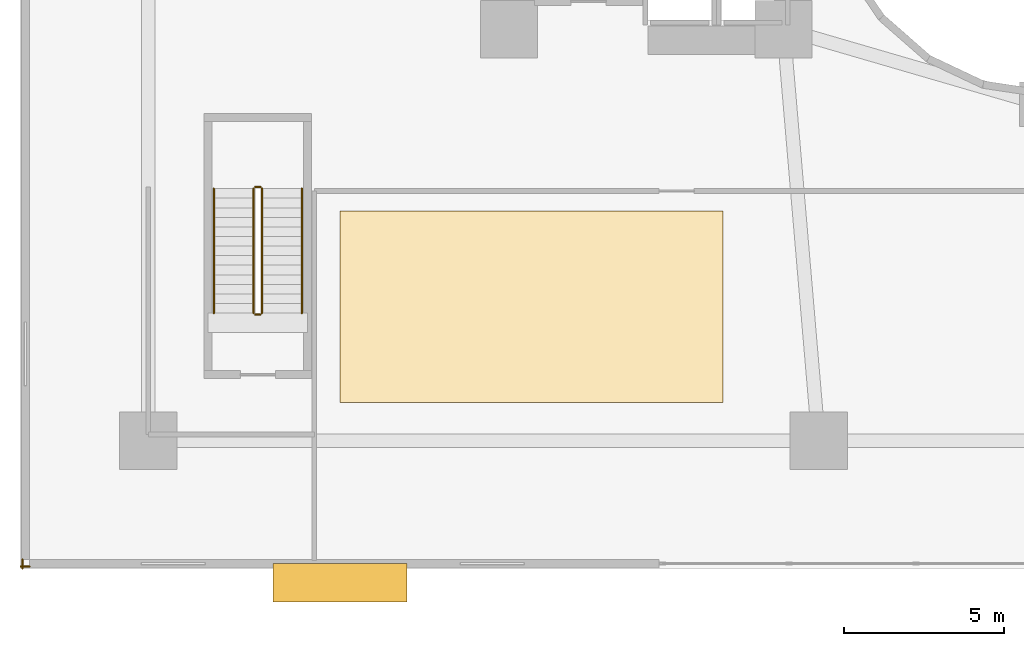
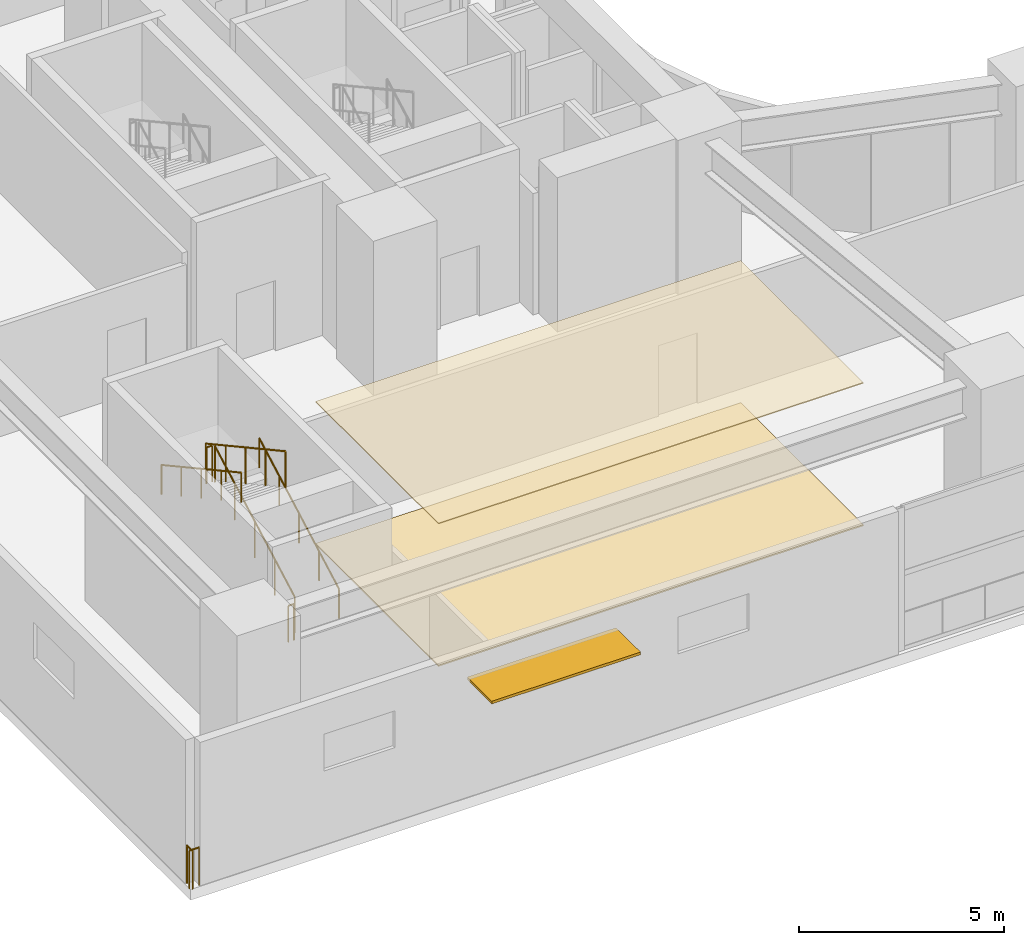
# One storey, part 15 of 20: 8 railings, 2 coverings, 1 shading device.
"""IFC4 building model written with IfcOpenShell, lengths in metres."""

from ifc_helpers import new_model, si_unit, direction, frame, origin, origin_2d, place, context, subcontext, project, spatial, polyline, rectangle, circle, outline, extrude, material, layer, layer_set, type_object, element, save


model = new_model("IFC4")

# Units and contexts
model_context = context("Model", 3, precision=1e-05, world=origin(), true_north=direction((0.0, 1.0)))
body_context = subcontext(model_context, "Body", "Model", "MODEL_VIEW")
ifc_project = project(units=[si_unit("LENGTHUNIT", "METRE"), si_unit("AREAUNIT", "SQUARE_METRE"), si_unit("VOLUMEUNIT", "CUBIC_METRE"), si_unit("PLANEANGLEUNIT", "RADIAN"), si_unit("MASSUNIT", "GRAM", prefix="KILO")], contexts=[model_context])

# Site, building, storey
site_placement = place(None, origin())
site = spatial("IfcSite", under=ifc_project, at=site_placement, CompositionType="ELEMENT")
building_placement = place(site_placement, origin())
building = spatial("IfcBuilding", under=site, at=building_placement, Name="Solvane Sanctuary Tower", CompositionType="ELEMENT")
storey_placement = place(building_placement, frame((0.0, 0.0, 18.39990234375)))
storey = spatial("IfcBuildingStorey", under=building, at=storey_placement, Name="L05", CompositionType="ELEMENT", Elevation=18.39990234375)

# Coverings
ifc_material_1 = material(Name="Acoustic Gypsum Partition Board")
ifc_layer_1 = layer(ifc_material_1, 0.02490234375, Name="Acoustic Gypsum Partition Board")
ifc_layer_set_1 = layer_set([ifc_layer_1], Name="Acoustic Gypsum Partition Board")
covering_type_1 = type_object("IfcCoveringType", Name="Covering CLG-ACOUST", PredefinedType="CEILING", material=ifc_layer_set_1)
covering_1_placement = place(storey_placement, frame((0.0, 0.0, 4.25)))
element("IfcCovering", 1, at=covering_1_placement, inside=storey, type_object=covering_type_1, Name="L05 Sanctuary Acoustic Ceiling", PredefinedType="CEILING", context=body_context, shape_type="SweptSolid", body=[
    extrude(outline(polyline([(10.0, 5.199951171875), (22.0, 5.199951171875), (22.0, 11.199951171875), (10.0, 11.199951171875), (10.0, 5.199951171875)])), origin(), (0.0, 0.0, 1.0), 0.030029296875),
])
ifc_material_2 = material(Name="Ceramic Tile Finish")
ifc_layer_2 = layer(ifc_material_2, 0.030029296875, Name="Ceramic Tile Finish")
ifc_layer_set_2 = layer_set([ifc_layer_2], Name="Ceramic Tile Finish")
covering_type_2 = type_object("IfcCoveringType", Name="Covering FLR-TERRAZZO", PredefinedType="FLOORING", material=ifc_layer_set_2)
covering_2_placement = place(storey_placement, origin())
element("IfcCovering", 2, at=covering_2_placement, inside=storey, type_object=covering_type_2, Name="L05 Sanctuary Terrazzo Floor", PredefinedType="FLOORING", context=body_context, shape_type="SweptSolid", body=[
    extrude(outline(polyline([(10.0, 5.199951171875), (22.0, 5.199951171875), (22.0, 11.199951171875), (10.0, 11.199951171875), (10.0, 5.199951171875)])), origin(), (0.0, 0.0, 1.0), 0.0400390625),
])

# Railings
ifc_material_3 = material(Name="Architectural Stainless Steel 316", Category="steel")
railing_type_1 = type_object("IfcRailingType", Name="Railing GR-BALC-1150", PredefinedType="BALUSTRADE", material=ifc_material_3)
railing_1_placement = place(storey_placement, frame((0.06005859375, 0.0, 0.0)))
element("IfcRailing", 3, at=railing_1_placement, inside=storey, type_object=railing_type_1, Name="L05 Perimeter Slab Edge Guardrail 01", PredefinedType="BALUSTRADE", context=body_context, shape_type="SweptSolid", body=[
    extrude(circle(Radius=0.02392578125, at=origin_2d()), frame((0.0, 0.0, 1.1259765625), z_axis=(0.0, 1.0, 0.0), x_axis=(-1.0, 0.0, 0.0)), (0.0, 0.0, 1.0), 0.280029296875),
    extrude(circle(Radius=0.02099609375, at=origin_2d()), origin(), (0.0, 0.0, 1.0), 1.101806640625),
    extrude(circle(Radius=0.02099609375, at=origin_2d()), frame((0.0, 0.280029296875, 0.0)), (0.0, 0.0, 1.0), 1.101806640625),
])
railing_2_placement = place(storey_placement, frame((0.280029296875, 0.06005859375, 0.0)))
element("IfcRailing", 4, at=railing_2_placement, inside=storey, type_object=railing_type_1, Name="L05 Perimeter Slab Edge Guardrail 05", PredefinedType="BALUSTRADE", context=body_context, shape_type="SweptSolid", body=[
    extrude(circle(Radius=0.02392578125, at=origin_2d()), frame((0.0, 0.0, 1.1259765625), z_axis=(-1.0, 0.0, 0.0), x_axis=(0.0, -1.0, 0.0)), (0.0, 0.0, 1.0), 0.280029296875),
    extrude(circle(Radius=0.02099609375, at=origin_2d()), origin(), (0.0, 0.0, 1.0), 1.101806640625),
    extrude(circle(Radius=0.02099609375, at=origin_2d()), frame((-0.280029296875, 0.0, 0.0)), (0.0, 0.0, 1.0), 1.101806640625),
])
railing_3_placement = place(storey_placement, frame((7.56005859375, 8.0, 0.164306640625)))
element("IfcRailing", 5, at=railing_3_placement, inside=storey, type_object=railing_type_1, Name="L05 ST-4 stair guard 1", PredefinedType="BALUSTRADE", context=body_context, shape_type="SweptSolid", body=[
    extrude(circle(Radius=0.02392578125, at=origin_2d()), frame((0.0, 0.0, 1.076171875), z_axis=(0.0, 0.877088557246, 0.480328702816), x_axis=(-1.0, 0.0, 0.0)), (0.0, 0.0, 1.0), 4.446533203125),
    extrude(circle(Radius=0.02099609375, at=origin_2d()), origin(), (0.0, 0.0, 1.0), 1.052001953125),
    extrude(circle(Radius=0.02099609375, at=origin_2d()), frame((0.0, 0.97509765625, 0.533935546875)), (0.0, 0.0, 1.0), 1.052001953125),
    extrude(circle(Radius=0.02099609375, at=origin_2d()), frame((0.0, 1.949951171875, 1.06787109375)), (0.0, 0.0, 1.0), 1.052001953125),
    extrude(circle(Radius=0.02099609375, at=origin_2d()), frame((0.0, 2.9248046875, 1.601806640625)), (0.0, 0.0, 1.0), 1.052001953125),
    extrude(circle(Radius=0.02099609375, at=origin_2d()), frame((0.0, 3.89990234375, 2.1357421875)), (0.0, 0.0, 1.0), 1.052001953125),
])
railing_4_placement = place(storey_placement, frame((7.510009765625, 11.949951171875, 2.300048828125)))
element("IfcRailing", 6, at=railing_4_placement, inside=storey, type_object=railing_type_1, Name="L05 ST-4 stair guard 2", PredefinedType="BALUSTRADE", context=body_context, shape_type="SweptSolid", body=[
    extrude(circle(Radius=0.02392578125, at=origin_2d()), frame((0.0, 0.0, 1.076171875), z_axis=(-1.0, 0.0, 0.0), x_axis=(0.0, -1.0, 0.0)), (0.0, 0.0, 1.0), 0.159912109375),
    extrude(circle(Radius=0.02099609375, at=origin_2d()), origin(), (0.0, 0.0, 1.0), 1.052001953125),
    extrude(circle(Radius=0.02099609375, at=origin_2d()), frame((-0.159912109375, 0.0, 0.0)), (0.0, 0.0, 1.0), 1.052001953125),
])
railing_5_placement = place(storey_placement, frame((7.300048828125, 11.89990234375, 2.46435546875)))
element("IfcRailing", 7, at=railing_5_placement, inside=storey, type_object=railing_type_1, Name="L05 ST-4 stair guard 3", PredefinedType="BALUSTRADE", context=body_context, shape_type="SweptSolid", body=[
    extrude(circle(Radius=0.02392578125, at=origin_2d()), frame((0.0, 0.0, 1.076171875), z_axis=(0.0, -0.877088557246, 0.480328702816), x_axis=(1.0, 0.0, 0.0)), (0.0, 0.0, 1.0), 4.446533203125),
    extrude(circle(Radius=0.02099609375, at=origin_2d()), origin(), (0.0, 0.0, 1.0), 1.052001953125),
    extrude(circle(Radius=0.02099609375, at=origin_2d()), frame((0.0, -0.97509765625, 0.533935546875)), (0.0, 0.0, 1.0), 1.052001953125),
    extrude(circle(Radius=0.02099609375, at=origin_2d()), frame((0.0, -1.949951171875, 1.06787109375)), (0.0, 0.0, 1.0), 1.052001953125),
    extrude(circle(Radius=0.02099609375, at=origin_2d()), frame((0.0, -2.9248046875, 1.601806640625)), (0.0, 0.0, 1.0), 1.052001953125),
    extrude(circle(Radius=0.02099609375, at=origin_2d()), frame((0.0, -3.89990234375, 2.1357421875)), (0.0, 0.0, 1.0), 1.052001953125),
])
railing_6_placement = place(storey_placement, frame((7.510009765625, 7.949951171875, 0.0)))
element("IfcRailing", 8, at=railing_6_placement, inside=storey, type_object=railing_type_1, Name="L05 ST-4 stair guard 4", PredefinedType="BALUSTRADE", context=body_context, shape_type="SweptSolid", body=[
    extrude(circle(Radius=0.02392578125, at=origin_2d()), frame((0.0, 0.0, 1.076171875), z_axis=(-1.0, 0.0, 0.0), x_axis=(0.0, -1.0, 0.0)), (0.0, 0.0, 1.0), 0.159912109375),
    extrude(circle(Radius=0.02099609375, at=origin_2d()), origin(), (0.0, 0.0, 1.0), 1.052001953125),
    extrude(circle(Radius=0.02099609375, at=origin_2d()), frame((-0.159912109375, 0.0, 0.0)), (0.0, 0.0, 1.0), 1.052001953125),
])
railing_type_2 = type_object("IfcRailingType", Name="Railing HR-STAIR-920", PredefinedType="HANDRAIL", material=ifc_material_3)
railing_7_placement = place(storey_placement, frame((8.81005859375, 8.0, 0.164306640625)))
element("IfcRailing", 9, at=railing_7_placement, inside=storey, type_object=railing_type_2, Name="L05 ST-4 stair handrail 1", PredefinedType="HANDRAIL", context=body_context, shape_type="SweptSolid", body=[
    extrude(circle(Radius=0.02392578125, at=origin_2d()), frame((0.0, 0.0, 0.8759765625), z_axis=(0.0, 0.877088557246, 0.480328702816), x_axis=(-1.0, 0.0, 0.0)), (0.0, 0.0, 1.0), 4.446533203125),
    extrude(circle(Radius=0.02099609375, at=origin_2d()), origin(), (0.0, 0.0, 1.0), 0.851806640625),
    extrude(circle(Radius=0.02099609375, at=origin_2d()), frame((0.0, 0.97509765625, 0.533935546875)), (0.0, 0.0, 1.0), 0.851806640625),
    extrude(circle(Radius=0.02099609375, at=origin_2d()), frame((0.0, 1.949951171875, 1.06787109375)), (0.0, 0.0, 1.0), 0.851806640625),
    extrude(circle(Radius=0.02099609375, at=origin_2d()), frame((0.0, 2.9248046875, 1.601806640625)), (0.0, 0.0, 1.0), 0.851806640625),
    extrude(circle(Radius=0.02099609375, at=origin_2d()), frame((0.0, 3.89990234375, 2.1357421875)), (0.0, 0.0, 1.0), 0.851806640625),
])
railing_8_placement = place(storey_placement, frame((6.050048828125, 11.89990234375, 2.46435546875)))
element("IfcRailing", 10, at=railing_8_placement, inside=storey, type_object=railing_type_2, Name="L05 ST-4 stair handrail 2", PredefinedType="HANDRAIL", context=body_context, shape_type="SweptSolid", body=[
    extrude(circle(Radius=0.02392578125, at=origin_2d()), frame((0.0, 0.0, 0.8759765625), z_axis=(0.0, -0.877088557246, 0.480328702816), x_axis=(1.0, 0.0, 0.0)), (0.0, 0.0, 1.0), 4.446533203125),
    extrude(circle(Radius=0.02099609375, at=origin_2d()), origin(), (0.0, 0.0, 1.0), 0.851806640625),
    extrude(circle(Radius=0.02099609375, at=origin_2d()), frame((0.0, -0.97509765625, 0.533935546875)), (0.0, 0.0, 1.0), 0.851806640625),
    extrude(circle(Radius=0.02099609375, at=origin_2d()), frame((0.0, -1.949951171875, 1.06787109375)), (0.0, 0.0, 1.0), 0.851806640625),
    extrude(circle(Radius=0.02099609375, at=origin_2d()), frame((0.0, -2.9248046875, 1.601806640625)), (0.0, 0.0, 1.0), 0.851806640625),
    extrude(circle(Radius=0.02099609375, at=origin_2d()), frame((0.0, -3.89990234375, 2.1357421875)), (0.0, 0.0, 1.0), 0.851806640625),
])

# Shading device
ifc_material_4 = material(Name="Anodised Aluminium 6063-T6", Category="aluminium")
ifc_layer_3 = layer(ifc_material_4, 0.080078125, Name="Anodised Aluminium 6063-T6")
ifc_layer_set_3 = layer_set([ifc_layer_3], Name="Anodised Aluminium 6063-T6")
shading_device_type = type_object("IfcShadingDeviceType", Name="Shading SHD-SUNSHADE", PredefinedType="AWNING", material=ifc_layer_set_3)
shading_device_placement = place(storey_placement, frame((10.0, -0.449951171875, 3.41015625), z_axis=(0.0, 0.0, 1.0), x_axis=(1.0, 0.0, 0.0)))
element("IfcShadingDevice", 11, at=shading_device_placement, inside=storey, type_object=shading_device_type, Name="L05 Tropical Sunshade Canopy S1", PredefinedType="AWNING", context=body_context, shape_type="SweptSolid", body=[
    extrude(rectangle(XDim=4.199951171875, YDim=1.199951171875, at=origin_2d()), origin(), (0.0, 0.0, 1.0), 0.080078125),
])

save(model, "model.ifc")
